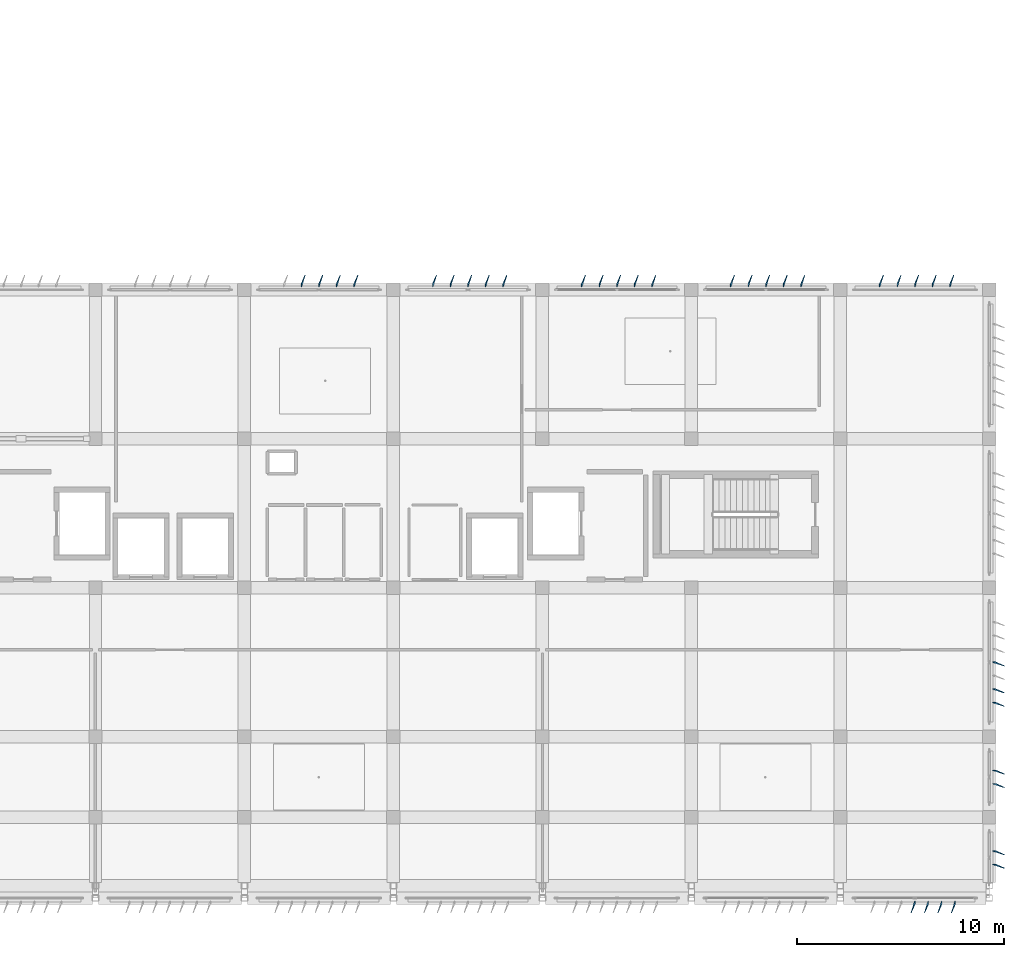
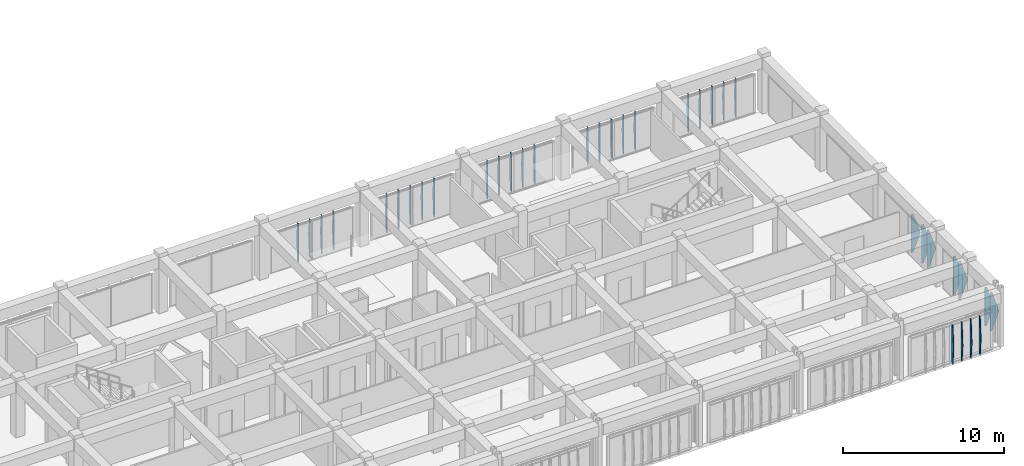
# One storey, part 53 of 56: 35 plates.
"""IFC4 building model written with IfcOpenShell, lengths in metres."""

import ifcopenshell
import ifcopenshell.guid

model = None  # the IFC model being written
_history = None  # IfcOwnerHistory: only IFC2X3 demands one
_inside = {}  # id of a spatial element -> (the spatial element, [elements in it])
_under = {}  # id of a project, library or spatial element -> (it, [spatial elements below it])
_declared = {}  # id of a project -> (the project, [libraries it declares])
_typed = {}  # id of a type object -> (the type object, [elements of that type])
_made_of = {}  # id of a material, layer set ... -> (it, [elements and type objects made of it])


def new_model(schema):
    """Start an empty IFC model of exactly this schema.

    Asked for "IFC4X3", IfcOpenShell would pick the latest addendum, in which some entities
    have other attributes; the version numbers below select the first issue.
    IFC2X3 requires an IfcOwnerHistory on every rooted entity: one is made here for all.
    """
    global model, _history
    if schema == "IFC4X3":
        model = ifcopenshell.file(schema_version=(4, 3, 0, 0))
    else:
        model = ifcopenshell.file(schema=schema)
    _inside.clear()
    _under.clear()
    _declared.clear()
    _typed.clear()
    _made_of.clear()
    _history = None
    if model.schema == "IFC2X3":
        org = make("IfcOrganization", Name="unknown")
        user = make(
            "IfcPersonAndOrganization",
            ThePerson=make("IfcPerson", FamilyName="unknown"),
            TheOrganization=org,
        )
        app = make(
            "IfcApplication",
            ApplicationDeveloper=org,
            Version="unknown",
            ApplicationFullName="unknown",
            ApplicationIdentifier="unknown",
        )
        _history = make(
            "IfcOwnerHistory",
            OwningUser=user,
            OwningApplication=app,
            ChangeAction="ADDED",
            CreationDate=0,
        )
    return model


def make(cls, **values):
    """One entity of the class cls with the attributes given. An attribute that is None is left unset."""
    return model.create_entity(
        cls, **{name: value for name, value in values.items() if value is not None}
    )


def rooted(cls, **values):
    """An entity with a GlobalId (a new one), such as an element, a storey or a relation."""
    return make(cls, GlobalId=ifcopenshell.guid.new(), OwnerHistory=_history, **values)


def si_unit(unit_type, name, prefix=None):
    """IfcSIUnit, for example si_unit("LENGTHUNIT", "METRE", prefix="MILLI")."""
    return make("IfcSIUnit", UnitType=unit_type, Prefix=prefix, Name=name)


def assignment(units):
    """IfcUnitAssignment: the units of a project."""
    return None if units is None else make("IfcUnitAssignment", Units=units)


def point(xyz):
    """IfcCartesianPoint."""
    return None if xyz is None else make("IfcCartesianPoint", Coordinates=xyz)


def direction(xyz):
    """IfcDirection."""
    return None if xyz is None else make("IfcDirection", DirectionRatios=xyz)


def frame(location, z_axis=None, x_axis=None):
    """IfcAxis2Placement3D, a coordinate frame: its origin and axes. An axis left out is left unset."""
    return make(
        "IfcAxis2Placement3D",
        Location=point(location),
        Axis=direction(z_axis),
        RefDirection=direction(x_axis),
    )


def origin():
    """The frame at (0, 0, 0) with its axes left unset."""
    return frame((0.0, 0.0, 0.0))


def place(relative_to, where):
    """IfcLocalPlacement: puts the frame where relative to a parent placement (None: the world)."""
    return make(
        "IfcLocalPlacement", PlacementRelTo=relative_to, RelativePlacement=where
    )


def context(
    kind, dimensions, precision=None, world=None, true_north=None, identifier=None
):
    """IfcGeometricRepresentationContext, for example the 3D "Model" context."""
    return make(
        "IfcGeometricRepresentationContext",
        ContextIdentifier=identifier,
        ContextType=kind,
        CoordinateSpaceDimension=dimensions,
        Precision=precision,
        WorldCoordinateSystem=world,
        TrueNorth=true_north,
    )


def subcontext(parent, identifier, kind, view, scale=None):
    """IfcGeometricRepresentationSubContext, for example "Body" below "Model"."""
    return make(
        "IfcGeometricRepresentationSubContext",
        ContextIdentifier=identifier,
        ContextType=kind,
        ParentContext=parent,
        TargetScale=scale,
        TargetView=view,
    )


def project(units=None, contexts=None):
    """IfcProject with its units and contexts."""
    return rooted(
        "IfcProject",
        Name="project",
        RepresentationContexts=contexts,
        UnitsInContext=assignment(units),
    )


def spatial(cls, under=None, at=None, **own):
    """A site, building, storey or space (cls), placed at a placement, below another one or the project."""
    s = rooted(cls, ObjectPlacement=at, **own)
    if under is not None:
        _under.setdefault(under.id(), (under, []))[1].append(s)
    return s


def point_list(points):
    """IfcCartesianPointList2D or 3D."""
    cls = (
        "IfcCartesianPointList2D" if len(points[0]) == 2 else "IfcCartesianPointList3D"
    )
    return make(cls, CoordList=points)


def polygons(points, faces, closed=None, point_numbers=None):
    """IfcPolygonalFaceSet: a face is its outer loop, then its inner loops; points numbered from 1."""
    made = []
    for loops in faces:
        if len(loops) == 1:
            made.append(make("IfcIndexedPolygonalFace", CoordIndex=loops[0]))
        else:
            made.append(
                make(
                    "IfcIndexedPolygonalFaceWithVoids",
                    CoordIndex=loops[0],
                    InnerCoordIndices=loops[1:],
                )
            )
    return make(
        "IfcPolygonalFaceSet",
        Coordinates=point_list(points),
        Closed=closed,
        Faces=made,
        PnIndex=point_numbers,
    )


def shape(context_of_items, identifier, shape_type, items):
    """IfcShapeRepresentation: the items that make up one representation, for example the "Body"."""
    return make(
        "IfcShapeRepresentation",
        ContextOfItems=context_of_items,
        RepresentationIdentifier=identifier,
        RepresentationType=shape_type,
        Items=items,
    )


def material(Name=None, Category=None):
    """IfcMaterial."""
    return make("IfcMaterial", Name=Name, Category=Category)


def layer(
    of_material, thickness, ventilated=None, Name=None, Category=None, Priority=None
):
    """IfcMaterialLayer: one layer of a wall or slab, of a material (None: an air gap)."""
    return make(
        "IfcMaterialLayer",
        Material=of_material,
        LayerThickness=thickness,
        IsVentilated=ventilated,
        Name=Name,
        Category=Category,
        Priority=Priority,
    )


def layer_set(layers, Name=None):
    """IfcMaterialLayerSet."""
    return make("IfcMaterialLayerSet", MaterialLayers=layers, LayerSetName=Name)


def made_of(thing, what):
    """Note that an element or type object is made of a material, layer set ...; save() writes the relation."""
    if what is not None:
        _made_of.setdefault(what.id(), (what, []))[1].append(thing)
    return thing


def type_object(cls, material=None, **own):
    """A type object (cls), such as IfcWallType, which elements share."""
    return made_of(rooted(cls, **own), material)


def element(
    cls,
    number,
    at=None,
    inside=None,
    cuts=None,
    type_object=None,
    material=None,
    context=None,
    identifier="Body",
    shape_type=None,
    held_by="IfcProductDefinitionShape",
    body=None,
    shapes=None,
    **own,
):
    """One element of the class cls, such as IfcWall. Its Tag is "e" and its number.

    at: its placement. inside: the storey or other place that contains it. cuts: it is an
    opening in that element (IfcRelVoidsElement). A single representation is given by context,
    identifier, shape_type and body (its items); several are given by shapes. held_by: the class
    of the entity that holds the representations. save() writes the other relations.
    """
    e = rooted(cls, Tag="e%d" % number, ObjectPlacement=at, **own)
    if body is not None:
        shapes = [shape(context, identifier, shape_type, body)]
    if shapes is not None:
        e.Representation = make(held_by, Representations=shapes)
    if inside is not None:
        _inside.setdefault(inside.id(), (inside, []))[1].append(e)
    if cuts is not None:
        rooted(
            "IfcRelVoidsElement", RelatingBuildingElement=cuts, RelatedOpeningElement=e
        )
    if type_object is not None:
        _typed.setdefault(type_object.id(), (type_object, []))[1].append(e)
    return made_of(e, material)


def aggregate(whole, parts):
    """IfcRelAggregates: a whole, such as a stair, and the parts it consists of."""
    return rooted("IfcRelAggregates", RelatingObject=whole, RelatedObjects=parts)


def save(model, path):
    """Write the relations noted so far, then the file.

    IfcRelAggregates (storeys below a building ...), IfcRelContainedInSpatialStructure (elements
    in a storey), IfcRelDefinesByType, IfcRelAssociatesMaterial and IfcRelDeclares: one each for
    every whole, place, type object, material and project.
    """
    for whole, parts in _under.values():
        aggregate(whole, parts)
    for where, things in _inside.values():
        rooted(
            "IfcRelContainedInSpatialStructure",
            RelatedElements=things,
            RelatingStructure=where,
        )
    for kind, things in _typed.values():
        rooted("IfcRelDefinesByType", RelatedObjects=things, RelatingType=kind)
    for what, things in _made_of.values():
        rooted("IfcRelAssociatesMaterial", RelatedObjects=things, RelatingMaterial=what)
    for by, libraries in _declared.values():
        rooted("IfcRelDeclares", RelatingContext=by, RelatedDefinitions=libraries)
    model.write(path)


model = new_model("IFC4")

# Units and contexts
model_context = context("Model", 3, precision=1e-05, world=origin(), true_north=direction((0.0, 1.0)))
body_context = subcontext(model_context, "Body", "Model", "MODEL_VIEW")
ifc_project = project(units=[si_unit("LENGTHUNIT", "METRE"), si_unit("AREAUNIT", "SQUARE_METRE"), si_unit("VOLUMEUNIT", "CUBIC_METRE"), si_unit("PLANEANGLEUNIT", "RADIAN"), si_unit("MASSUNIT", "GRAM", prefix="KILO")], contexts=[model_context])

# Site, building, storey
site_placement = place(None, origin())
site = spatial("IfcSite", under=ifc_project, at=site_placement, CompositionType="ELEMENT")
building_placement = place(site_placement, origin())
building = spatial("IfcBuilding", under=site, at=building_placement, Name="Kazehaya Institute of Natural Sciences", CompositionType="ELEMENT")
storey_placement = place(building_placement, frame((0.0, 0.0, 28.800048828125)))
storey = spatial("IfcBuildingStorey", under=building, at=storey_placement, Name="L06", CompositionType="ELEMENT", Elevation=28.800048828125)

# Plates
ifc_material = material(Name="Bronze-anodised aluminium alloy A6063S-T5", Category="aluminium")
ifc_layer_1 = layer(ifc_material, 0.02001953125, Name="Bronze-anodised aluminium alloy A6063S-T5", Category="aluminium")
ifc_layer_set_1 = layer_set([ifc_layer_1], Name="Bronze-anodised aluminium alloy A6063S-T5")
plate_type_1 = type_object("IfcPlateType", Name="FIN-DF-E1", PredefinedType="USERDEFINED", material=ifc_layer_set_1)
plate_1_placement = place(storey_placement, origin())
element("IfcPlate", 1, at=plate_1_placement, inside=storey, type_object=plate_type_1, Name="L06 folded diamond-pyramid shading fin FIN-L06-E-0496", ObjectType="SHADING_FIN", PredefinedType="USERDEFINED", context=body_context, shape_type="Tessellation", body=[
    polygons([(119.554931640625, 8.485107421875, 0.0400390625), (119.699951171875, 8.485107421875, 0.0400390625), (120.110107421875, 8.306396484375, 1.5), (119.699951171875, 8.485107421875, 2.9599609375), (119.554931640625, 8.485107421875, 2.9599609375), (119.554931640625, 8.465087890625, 0.0400390625), (119.699951171875, 8.465087890625, 0.0400390625), (120.110107421875, 8.286376953125, 1.5), (119.699951171875, 8.465087890625, 2.9599609375), (119.554931640625, 8.465087890625, 2.9599609375)], [[[1, 5, 4, 3, 2]], [[6, 7, 8, 9, 10]], [[1, 2, 7, 6]], [[2, 3, 8, 7]], [[3, 4, 9, 8]], [[4, 5, 10, 9]], [[5, 1, 6, 10]]], closed=True),
])
plate_2_placement = place(storey_placement, origin())
element("IfcPlate", 2, at=plate_2_placement, inside=storey, type_object=plate_type_1, Name="L06 folded diamond-pyramid shading fin FIN-L06-E-0497", ObjectType="SHADING_FIN", PredefinedType="USERDEFINED", context=body_context, shape_type="Tessellation", body=[
    polygons([(119.554931640625, 7.8349609375, 0.0400390625), (119.699951171875, 7.8349609375, 0.0400390625), (120.110107421875, 7.65625, 1.5), (119.699951171875, 7.8349609375, 2.9599609375), (119.554931640625, 7.8349609375, 2.9599609375), (119.554931640625, 7.81494140625, 0.0400390625), (119.699951171875, 7.81494140625, 0.0400390625), (120.110107421875, 7.63623046875, 1.5), (119.699951171875, 7.81494140625, 2.9599609375), (119.554931640625, 7.81494140625, 2.9599609375)], [[[1, 5, 4, 3, 2]], [[6, 7, 8, 9, 10]], [[1, 2, 7, 6]], [[2, 3, 8, 7]], [[3, 4, 9, 8]], [[4, 5, 10, 9]], [[5, 1, 6, 10]]], closed=True),
])
plate_3_placement = place(storey_placement, origin())
element("IfcPlate", 3, at=plate_3_placement, inside=storey, type_object=plate_type_1, Name="L06 folded diamond-pyramid shading fin FIN-L06-E-0500", ObjectType="SHADING_FIN", PredefinedType="USERDEFINED", context=body_context, shape_type="Tessellation", body=[
    polygons([(119.554931640625, 12.385009765625, 0.0400390625), (119.699951171875, 12.385009765625, 0.0400390625), (120.110107421875, 12.206298828125, 1.5), (119.699951171875, 12.385009765625, 2.9599609375), (119.554931640625, 12.385009765625, 2.9599609375), (119.554931640625, 12.364990234375, 0.0400390625), (119.699951171875, 12.364990234375, 0.0400390625), (120.110107421875, 12.186279296875, 1.5), (119.699951171875, 12.364990234375, 2.9599609375), (119.554931640625, 12.364990234375, 2.9599609375)], [[[1, 5, 4, 3, 2]], [[6, 7, 8, 9, 10]], [[1, 2, 7, 6]], [[2, 3, 8, 7]], [[3, 4, 9, 8]], [[4, 5, 10, 9]], [[5, 1, 6, 10]]], closed=True),
])
plate_4_placement = place(storey_placement, origin())
element("IfcPlate", 4, at=plate_4_placement, inside=storey, type_object=plate_type_1, Name="L06 folded diamond-pyramid shading fin FIN-L06-E-0501", ObjectType="SHADING_FIN", PredefinedType="USERDEFINED", context=body_context, shape_type="Tessellation", body=[
    polygons([(119.554931640625, 11.735107421875, 0.0400390625), (119.699951171875, 11.735107421875, 0.0400390625), (120.110107421875, 11.556396484375, 1.5), (119.699951171875, 11.735107421875, 2.9599609375), (119.554931640625, 11.735107421875, 2.9599609375), (119.554931640625, 11.715087890625, 0.0400390625), (119.699951171875, 11.715087890625, 0.0400390625), (120.110107421875, 11.536376953125, 1.5), (119.699951171875, 11.715087890625, 2.9599609375), (119.554931640625, 11.715087890625, 2.9599609375)], [[[1, 5, 4, 3, 2]], [[6, 7, 8, 9, 10]], [[1, 2, 7, 6]], [[2, 3, 8, 7]], [[3, 4, 9, 8]], [[4, 5, 10, 9]], [[5, 1, 6, 10]]], closed=True),
])
plate_5_placement = place(storey_placement, origin())
element("IfcPlate", 5, at=plate_5_placement, inside=storey, type_object=plate_type_1, Name="L06 folded diamond-pyramid shading fin FIN-L06-E-0512", ObjectType="SHADING_FIN", PredefinedType="USERDEFINED", context=body_context, shape_type="Tessellation", body=[
    polygons([(119.554931640625, 17.610107421875, 0.0400390625), (119.699951171875, 17.610107421875, 0.0400390625), (120.110107421875, 17.431396484375, 1.5), (119.699951171875, 17.610107421875, 2.9599609375), (119.554931640625, 17.610107421875, 2.9599609375), (119.554931640625, 17.590087890625, 0.0400390625), (119.699951171875, 17.590087890625, 0.0400390625), (120.110107421875, 17.411376953125, 1.5), (119.699951171875, 17.590087890625, 2.9599609375), (119.554931640625, 17.590087890625, 2.9599609375)], [[[1, 5, 4, 3, 2]], [[6, 7, 8, 9, 10]], [[1, 2, 7, 6]], [[2, 3, 8, 7]], [[3, 4, 9, 8]], [[4, 5, 10, 9]], [[5, 1, 6, 10]]], closed=True),
])
plate_6_placement = place(storey_placement, origin())
element("IfcPlate", 6, at=plate_6_placement, inside=storey, type_object=plate_type_1, Name="L06 folded diamond-pyramid shading fin FIN-L06-E-0514", ObjectType="SHADING_FIN", PredefinedType="USERDEFINED", context=body_context, shape_type="Tessellation", body=[
    polygons([(119.554931640625, 16.31005859375, 0.0400390625), (119.699951171875, 16.31005859375, 0.0400390625), (120.110107421875, 16.13134765625, 1.5), (119.699951171875, 16.31005859375, 2.9599609375), (119.554931640625, 16.31005859375, 2.9599609375), (119.554931640625, 16.2900390625, 0.0400390625), (119.699951171875, 16.2900390625, 0.0400390625), (120.110107421875, 16.111328125, 1.5), (119.699951171875, 16.2900390625, 2.9599609375), (119.554931640625, 16.2900390625, 2.9599609375)], [[[1, 5, 4, 3, 2]], [[6, 7, 8, 9, 10]], [[1, 2, 7, 6]], [[2, 3, 8, 7]], [[3, 4, 9, 8]], [[4, 5, 10, 9]], [[5, 1, 6, 10]]], closed=True),
])
plate_7_placement = place(storey_placement, origin())
element("IfcPlate", 7, at=plate_7_placement, inside=storey, type_object=plate_type_1, Name="L06 folded diamond-pyramid shading fin FIN-L06-E-0515", ObjectType="SHADING_FIN", PredefinedType="USERDEFINED", context=body_context, shape_type="Tessellation", body=[
    polygons([(119.554931640625, 15.659912109375, 0.0400390625), (119.699951171875, 15.659912109375, 0.0400390625), (120.110107421875, 15.481201171875, 1.5), (119.699951171875, 15.659912109375, 2.9599609375), (119.554931640625, 15.659912109375, 2.9599609375), (119.554931640625, 15.639892578125, 0.0400390625), (119.699951171875, 15.639892578125, 0.0400390625), (120.110107421875, 15.461181640625, 1.5), (119.699951171875, 15.639892578125, 2.9599609375), (119.554931640625, 15.639892578125, 2.9599609375)], [[[1, 5, 4, 3, 2]], [[6, 7, 8, 9, 10]], [[1, 2, 7, 6]], [[2, 3, 8, 7]], [[3, 4, 9, 8]], [[4, 5, 10, 9]], [[5, 1, 6, 10]]], closed=True),
])
ifc_layer_2 = layer(ifc_material, 0.02001953125, Name="Bronze-anodised aluminium alloy A6063S-T5", Category="aluminium")
ifc_layer_set_2 = layer_set([ifc_layer_2], Name="Bronze-anodised aluminium alloy A6063S-T5")
plate_type_2 = type_object("IfcPlateType", Name="FIN-DF-N1", PredefinedType="USERDEFINED", material=ifc_layer_set_2)
plate_8_placement = place(storey_placement, origin())
element("IfcPlate", 8, at=plate_8_placement, inside=storey, type_object=plate_type_2, Name="L06 folded diamond-pyramid shading fin FIN-L06-N-0470", ObjectType="SHADING_FIN", PredefinedType="USERDEFINED", context=body_context, shape_type="Tessellation", body=[
    polygons([(86.139892578125, 35.7548828125, 0.0400390625), (86.139892578125, 35.89990234375, 0.0400390625), (86.318603515625, 36.31005859375, 1.5), (86.139892578125, 35.89990234375, 2.9599609375), (86.139892578125, 35.7548828125, 2.9599609375), (86.159912109375, 35.7548828125, 0.0400390625), (86.159912109375, 35.89990234375, 0.0400390625), (86.338623046875, 36.31005859375, 1.5), (86.159912109375, 35.89990234375, 2.9599609375), (86.159912109375, 35.7548828125, 2.9599609375)], [[[1, 5, 4, 3, 2]], [[6, 7, 8, 9, 10]], [[1, 2, 7, 6]], [[2, 3, 8, 7]], [[3, 4, 9, 8]], [[4, 5, 10, 9]], [[5, 1, 6, 10]]], closed=True),
])
plate_9_placement = place(storey_placement, origin())
element("IfcPlate", 9, at=plate_9_placement, inside=storey, type_object=plate_type_2, Name="L06 folded diamond-pyramid shading fin FIN-L06-N-0471", ObjectType="SHADING_FIN", PredefinedType="USERDEFINED", context=body_context, shape_type="Tessellation", body=[
    polygons([(86.989990234375, 35.7548828125, 0.0400390625), (86.989990234375, 35.89990234375, 0.0400390625), (87.168701171875, 36.31005859375, 1.5), (86.989990234375, 35.89990234375, 2.9599609375), (86.989990234375, 35.7548828125, 2.9599609375), (87.010009765625, 35.7548828125, 0.0400390625), (87.010009765625, 35.89990234375, 0.0400390625), (87.188720703125, 36.31005859375, 1.5), (87.010009765625, 35.89990234375, 2.9599609375), (87.010009765625, 35.7548828125, 2.9599609375)], [[[1, 5, 4, 3, 2]], [[6, 7, 8, 9, 10]], [[1, 2, 7, 6]], [[2, 3, 8, 7]], [[3, 4, 9, 8]], [[4, 5, 10, 9]], [[5, 1, 6, 10]]], closed=True),
])
plate_10_placement = place(storey_placement, origin())
element("IfcPlate", 10, at=plate_10_placement, inside=storey, type_object=plate_type_2, Name="L06 folded diamond-pyramid shading fin FIN-L06-N-0472", ObjectType="SHADING_FIN", PredefinedType="USERDEFINED", context=body_context, shape_type="Tessellation", body=[
    polygons([(87.840087890625, 35.7548828125, 0.0400390625), (87.840087890625, 35.89990234375, 0.0400390625), (88.018798828125, 36.31005859375, 1.5), (87.840087890625, 35.89990234375, 2.9599609375), (87.840087890625, 35.7548828125, 2.9599609375), (87.860107421875, 35.7548828125, 0.0400390625), (87.860107421875, 35.89990234375, 0.0400390625), (88.038818359375, 36.31005859375, 1.5), (87.860107421875, 35.89990234375, 2.9599609375), (87.860107421875, 35.7548828125, 2.9599609375)], [[[1, 5, 4, 3, 2]], [[6, 7, 8, 9, 10]], [[1, 2, 7, 6]], [[2, 3, 8, 7]], [[3, 4, 9, 8]], [[4, 5, 10, 9]], [[5, 1, 6, 10]]], closed=True),
])
plate_11_placement = place(storey_placement, origin())
element("IfcPlate", 11, at=plate_11_placement, inside=storey, type_object=plate_type_2, Name="L06 folded diamond-pyramid shading fin FIN-L06-N-0473", ObjectType="SHADING_FIN", PredefinedType="USERDEFINED", context=body_context, shape_type="Tessellation", body=[
    polygons([(88.68994140625, 35.7548828125, 0.0400390625), (88.68994140625, 35.89990234375, 0.0400390625), (88.86865234375, 36.31005859375, 1.5), (88.68994140625, 35.89990234375, 2.9599609375), (88.68994140625, 35.7548828125, 2.9599609375), (88.7099609375, 35.7548828125, 0.0400390625), (88.7099609375, 35.89990234375, 0.0400390625), (88.888671875, 36.31005859375, 1.5), (88.7099609375, 35.89990234375, 2.9599609375), (88.7099609375, 35.7548828125, 2.9599609375)], [[[1, 5, 4, 3, 2]], [[6, 7, 8, 9, 10]], [[1, 2, 7, 6]], [[2, 3, 8, 7]], [[3, 4, 9, 8]], [[4, 5, 10, 9]], [[5, 1, 6, 10]]], closed=True),
])
plate_12_placement = place(storey_placement, origin())
element("IfcPlate", 12, at=plate_12_placement, inside=storey, type_object=plate_type_2, Name="L06 folded diamond-pyramid shading fin FIN-L06-N-0474", ObjectType="SHADING_FIN", PredefinedType="USERDEFINED", context=body_context, shape_type="Tessellation", body=[
    polygons([(92.489990234375, 35.7548828125, 0.0400390625), (92.489990234375, 35.89990234375, 0.0400390625), (92.668701171875, 36.31005859375, 1.5), (92.489990234375, 35.89990234375, 2.9599609375), (92.489990234375, 35.7548828125, 2.9599609375), (92.510009765625, 35.7548828125, 0.0400390625), (92.510009765625, 35.89990234375, 0.0400390625), (92.688720703125, 36.31005859375, 1.5), (92.510009765625, 35.89990234375, 2.9599609375), (92.510009765625, 35.7548828125, 2.9599609375)], [[[1, 5, 4, 3, 2]], [[6, 7, 8, 9, 10]], [[1, 2, 7, 6]], [[2, 3, 8, 7]], [[3, 4, 9, 8]], [[4, 5, 10, 9]], [[5, 1, 6, 10]]], closed=True),
])
plate_13_placement = place(storey_placement, origin())
element("IfcPlate", 13, at=plate_13_placement, inside=storey, type_object=plate_type_2, Name="L06 folded diamond-pyramid shading fin FIN-L06-N-0475", ObjectType="SHADING_FIN", PredefinedType="USERDEFINED", context=body_context, shape_type="Tessellation", body=[
    polygons([(93.340087890625, 35.7548828125, 0.0400390625), (93.340087890625, 35.89990234375, 0.0400390625), (93.518798828125, 36.31005859375, 1.5), (93.340087890625, 35.89990234375, 2.9599609375), (93.340087890625, 35.7548828125, 2.9599609375), (93.360107421875, 35.7548828125, 0.0400390625), (93.360107421875, 35.89990234375, 0.0400390625), (93.538818359375, 36.31005859375, 1.5), (93.360107421875, 35.89990234375, 2.9599609375), (93.360107421875, 35.7548828125, 2.9599609375)], [[[1, 5, 4, 3, 2]], [[6, 7, 8, 9, 10]], [[1, 2, 7, 6]], [[2, 3, 8, 7]], [[3, 4, 9, 8]], [[4, 5, 10, 9]], [[5, 1, 6, 10]]], closed=True),
])
plate_14_placement = place(storey_placement, origin())
element("IfcPlate", 14, at=plate_14_placement, inside=storey, type_object=plate_type_2, Name="L06 folded diamond-pyramid shading fin FIN-L06-N-0476", ObjectType="SHADING_FIN", PredefinedType="USERDEFINED", context=body_context, shape_type="Tessellation", body=[
    polygons([(94.18994140625, 35.7548828125, 0.0400390625), (94.18994140625, 35.89990234375, 0.0400390625), (94.36865234375, 36.31005859375, 1.5), (94.18994140625, 35.89990234375, 2.9599609375), (94.18994140625, 35.7548828125, 2.9599609375), (94.2099609375, 35.7548828125, 0.0400390625), (94.2099609375, 35.89990234375, 0.0400390625), (94.388671875, 36.31005859375, 1.5), (94.2099609375, 35.89990234375, 2.9599609375), (94.2099609375, 35.7548828125, 2.9599609375)], [[[1, 5, 4, 3, 2]], [[6, 7, 8, 9, 10]], [[1, 2, 7, 6]], [[2, 3, 8, 7]], [[3, 4, 9, 8]], [[4, 5, 10, 9]], [[5, 1, 6, 10]]], closed=True),
])
plate_15_placement = place(storey_placement, origin())
element("IfcPlate", 15, at=plate_15_placement, inside=storey, type_object=plate_type_2, Name="L06 folded diamond-pyramid shading fin FIN-L06-N-0477", ObjectType="SHADING_FIN", PredefinedType="USERDEFINED", context=body_context, shape_type="Tessellation", body=[
    polygons([(95.0400390625, 35.7548828125, 0.0400390625), (95.0400390625, 35.89990234375, 0.0400390625), (95.21875, 36.31005859375, 1.5), (95.0400390625, 35.89990234375, 2.9599609375), (95.0400390625, 35.7548828125, 2.9599609375), (95.06005859375, 35.7548828125, 0.0400390625), (95.06005859375, 35.89990234375, 0.0400390625), (95.23876953125, 36.31005859375, 1.5), (95.06005859375, 35.89990234375, 2.9599609375), (95.06005859375, 35.7548828125, 2.9599609375)], [[[1, 5, 4, 3, 2]], [[6, 7, 8, 9, 10]], [[1, 2, 7, 6]], [[2, 3, 8, 7]], [[3, 4, 9, 8]], [[4, 5, 10, 9]], [[5, 1, 6, 10]]], closed=True),
])
plate_16_placement = place(storey_placement, origin())
element("IfcPlate", 16, at=plate_16_placement, inside=storey, type_object=plate_type_2, Name="L06 folded diamond-pyramid shading fin FIN-L06-N-0478", ObjectType="SHADING_FIN", PredefinedType="USERDEFINED", context=body_context, shape_type="Tessellation", body=[
    polygons([(95.889892578125, 35.7548828125, 0.0400390625), (95.889892578125, 35.89990234375, 0.0400390625), (96.068603515625, 36.31005859375, 1.5), (95.889892578125, 35.89990234375, 2.9599609375), (95.889892578125, 35.7548828125, 2.9599609375), (95.909912109375, 35.7548828125, 0.0400390625), (95.909912109375, 35.89990234375, 0.0400390625), (96.088623046875, 36.31005859375, 1.5), (95.909912109375, 35.89990234375, 2.9599609375), (95.909912109375, 35.7548828125, 2.9599609375)], [[[1, 5, 4, 3, 2]], [[6, 7, 8, 9, 10]], [[1, 2, 7, 6]], [[2, 3, 8, 7]], [[3, 4, 9, 8]], [[4, 5, 10, 9]], [[5, 1, 6, 10]]], closed=True),
])
plate_17_placement = place(storey_placement, origin())
element("IfcPlate", 17, at=plate_17_placement, inside=storey, type_object=plate_type_2, Name="L06 folded diamond-pyramid shading fin FIN-L06-N-0479", ObjectType="SHADING_FIN", PredefinedType="USERDEFINED", context=body_context, shape_type="Tessellation", body=[
    polygons([(99.68994140625, 35.7548828125, 0.0400390625), (99.68994140625, 35.89990234375, 0.0400390625), (99.86865234375, 36.31005859375, 1.5), (99.68994140625, 35.89990234375, 2.9599609375), (99.68994140625, 35.7548828125, 2.9599609375), (99.7099609375, 35.7548828125, 0.0400390625), (99.7099609375, 35.89990234375, 0.0400390625), (99.888671875, 36.31005859375, 1.5), (99.7099609375, 35.89990234375, 2.9599609375), (99.7099609375, 35.7548828125, 2.9599609375)], [[[1, 5, 4, 3, 2]], [[6, 7, 8, 9, 10]], [[1, 2, 7, 6]], [[2, 3, 8, 7]], [[3, 4, 9, 8]], [[4, 5, 10, 9]], [[5, 1, 6, 10]]], closed=True),
])
plate_18_placement = place(storey_placement, origin())
element("IfcPlate", 18, at=plate_18_placement, inside=storey, type_object=plate_type_2, Name="L06 folded diamond-pyramid shading fin FIN-L06-N-0480", ObjectType="SHADING_FIN", PredefinedType="USERDEFINED", context=body_context, shape_type="Tessellation", body=[
    polygons([(100.5400390625, 35.7548828125, 0.0400390625), (100.5400390625, 35.89990234375, 0.0400390625), (100.71875, 36.31005859375, 1.5), (100.5400390625, 35.89990234375, 2.9599609375), (100.5400390625, 35.7548828125, 2.9599609375), (100.56005859375, 35.7548828125, 0.0400390625), (100.56005859375, 35.89990234375, 0.0400390625), (100.73876953125, 36.31005859375, 1.5), (100.56005859375, 35.89990234375, 2.9599609375), (100.56005859375, 35.7548828125, 2.9599609375)], [[[1, 5, 4, 3, 2]], [[6, 7, 8, 9, 10]], [[1, 2, 7, 6]], [[2, 3, 8, 7]], [[3, 4, 9, 8]], [[4, 5, 10, 9]], [[5, 1, 6, 10]]], closed=True),
])
plate_19_placement = place(storey_placement, origin())
element("IfcPlate", 19, at=plate_19_placement, inside=storey, type_object=plate_type_2, Name="L06 folded diamond-pyramid shading fin FIN-L06-N-0481", ObjectType="SHADING_FIN", PredefinedType="USERDEFINED", context=body_context, shape_type="Tessellation", body=[
    polygons([(101.389892578125, 35.7548828125, 0.0400390625), (101.389892578125, 35.89990234375, 0.0400390625), (101.568603515625, 36.31005859375, 1.5), (101.389892578125, 35.89990234375, 2.9599609375), (101.389892578125, 35.7548828125, 2.9599609375), (101.409912109375, 35.7548828125, 0.0400390625), (101.409912109375, 35.89990234375, 0.0400390625), (101.588623046875, 36.31005859375, 1.5), (101.409912109375, 35.89990234375, 2.9599609375), (101.409912109375, 35.7548828125, 2.9599609375)], [[[1, 5, 4, 3, 2]], [[6, 7, 8, 9, 10]], [[1, 2, 7, 6]], [[2, 3, 8, 7]], [[3, 4, 9, 8]], [[4, 5, 10, 9]], [[5, 1, 6, 10]]], closed=True),
])
plate_20_placement = place(storey_placement, origin())
element("IfcPlate", 20, at=plate_20_placement, inside=storey, type_object=plate_type_2, Name="L06 folded diamond-pyramid shading fin FIN-L06-N-0482", ObjectType="SHADING_FIN", PredefinedType="USERDEFINED", context=body_context, shape_type="Tessellation", body=[
    polygons([(102.239990234375, 35.7548828125, 0.0400390625), (102.239990234375, 35.89990234375, 0.0400390625), (102.418701171875, 36.31005859375, 1.5), (102.239990234375, 35.89990234375, 2.9599609375), (102.239990234375, 35.7548828125, 2.9599609375), (102.260009765625, 35.7548828125, 0.0400390625), (102.260009765625, 35.89990234375, 0.0400390625), (102.438720703125, 36.31005859375, 1.5), (102.260009765625, 35.89990234375, 2.9599609375), (102.260009765625, 35.7548828125, 2.9599609375)], [[[1, 5, 4, 3, 2]], [[6, 7, 8, 9, 10]], [[1, 2, 7, 6]], [[2, 3, 8, 7]], [[3, 4, 9, 8]], [[4, 5, 10, 9]], [[5, 1, 6, 10]]], closed=True),
])
plate_21_placement = place(storey_placement, origin())
element("IfcPlate", 21, at=plate_21_placement, inside=storey, type_object=plate_type_2, Name="L06 folded diamond-pyramid shading fin FIN-L06-N-0483", ObjectType="SHADING_FIN", PredefinedType="USERDEFINED", context=body_context, shape_type="Tessellation", body=[
    polygons([(103.090087890625, 35.7548828125, 0.0400390625), (103.090087890625, 35.89990234375, 0.0400390625), (103.268798828125, 36.31005859375, 1.5), (103.090087890625, 35.89990234375, 2.9599609375), (103.090087890625, 35.7548828125, 2.9599609375), (103.110107421875, 35.7548828125, 0.0400390625), (103.110107421875, 35.89990234375, 0.0400390625), (103.288818359375, 36.31005859375, 1.5), (103.110107421875, 35.89990234375, 2.9599609375), (103.110107421875, 35.7548828125, 2.9599609375)], [[[1, 5, 4, 3, 2]], [[6, 7, 8, 9, 10]], [[1, 2, 7, 6]], [[2, 3, 8, 7]], [[3, 4, 9, 8]], [[4, 5, 10, 9]], [[5, 1, 6, 10]]], closed=True),
])
plate_22_placement = place(storey_placement, origin())
element("IfcPlate", 22, at=plate_22_placement, inside=storey, type_object=plate_type_2, Name="L06 folded diamond-pyramid shading fin FIN-L06-N-0484", ObjectType="SHADING_FIN", PredefinedType="USERDEFINED", context=body_context, shape_type="Tessellation", body=[
    polygons([(106.889892578125, 35.7548828125, 0.0400390625), (106.889892578125, 35.89990234375, 0.0400390625), (107.068603515625, 36.31005859375, 1.5), (106.889892578125, 35.89990234375, 2.9599609375), (106.889892578125, 35.7548828125, 2.9599609375), (106.909912109375, 35.7548828125, 0.0400390625), (106.909912109375, 35.89990234375, 0.0400390625), (107.088623046875, 36.31005859375, 1.5), (106.909912109375, 35.89990234375, 2.9599609375), (106.909912109375, 35.7548828125, 2.9599609375)], [[[1, 5, 4, 3, 2]], [[6, 7, 8, 9, 10]], [[1, 2, 7, 6]], [[2, 3, 8, 7]], [[3, 4, 9, 8]], [[4, 5, 10, 9]], [[5, 1, 6, 10]]], closed=True),
])
plate_23_placement = place(storey_placement, origin())
element("IfcPlate", 23, at=plate_23_placement, inside=storey, type_object=plate_type_2, Name="L06 folded diamond-pyramid shading fin FIN-L06-N-0485", ObjectType="SHADING_FIN", PredefinedType="USERDEFINED", context=body_context, shape_type="Tessellation", body=[
    polygons([(107.739990234375, 35.7548828125, 0.0400390625), (107.739990234375, 35.89990234375, 0.0400390625), (107.918701171875, 36.31005859375, 1.5), (107.739990234375, 35.89990234375, 2.9599609375), (107.739990234375, 35.7548828125, 2.9599609375), (107.760009765625, 35.7548828125, 0.0400390625), (107.760009765625, 35.89990234375, 0.0400390625), (107.938720703125, 36.31005859375, 1.5), (107.760009765625, 35.89990234375, 2.9599609375), (107.760009765625, 35.7548828125, 2.9599609375)], [[[1, 5, 4, 3, 2]], [[6, 7, 8, 9, 10]], [[1, 2, 7, 6]], [[2, 3, 8, 7]], [[3, 4, 9, 8]], [[4, 5, 10, 9]], [[5, 1, 6, 10]]], closed=True),
])
plate_24_placement = place(storey_placement, origin())
element("IfcPlate", 24, at=plate_24_placement, inside=storey, type_object=plate_type_2, Name="L06 folded diamond-pyramid shading fin FIN-L06-N-0486", ObjectType="SHADING_FIN", PredefinedType="USERDEFINED", context=body_context, shape_type="Tessellation", body=[
    polygons([(108.590087890625, 35.7548828125, 0.0400390625), (108.590087890625, 35.89990234375, 0.0400390625), (108.768798828125, 36.31005859375, 1.5), (108.590087890625, 35.89990234375, 2.9599609375), (108.590087890625, 35.7548828125, 2.9599609375), (108.610107421875, 35.7548828125, 0.0400390625), (108.610107421875, 35.89990234375, 0.0400390625), (108.788818359375, 36.31005859375, 1.5), (108.610107421875, 35.89990234375, 2.9599609375), (108.610107421875, 35.7548828125, 2.9599609375)], [[[1, 5, 4, 3, 2]], [[6, 7, 8, 9, 10]], [[1, 2, 7, 6]], [[2, 3, 8, 7]], [[3, 4, 9, 8]], [[4, 5, 10, 9]], [[5, 1, 6, 10]]], closed=True),
])
plate_25_placement = place(storey_placement, origin())
element("IfcPlate", 25, at=plate_25_placement, inside=storey, type_object=plate_type_2, Name="L06 folded diamond-pyramid shading fin FIN-L06-N-0487", ObjectType="SHADING_FIN", PredefinedType="USERDEFINED", context=body_context, shape_type="Tessellation", body=[
    polygons([(109.43994140625, 35.7548828125, 0.0400390625), (109.43994140625, 35.89990234375, 0.0400390625), (109.61865234375, 36.31005859375, 1.5), (109.43994140625, 35.89990234375, 2.9599609375), (109.43994140625, 35.7548828125, 2.9599609375), (109.4599609375, 35.7548828125, 0.0400390625), (109.4599609375, 35.89990234375, 0.0400390625), (109.638671875, 36.31005859375, 1.5), (109.4599609375, 35.89990234375, 2.9599609375), (109.4599609375, 35.7548828125, 2.9599609375)], [[[1, 5, 4, 3, 2]], [[6, 7, 8, 9, 10]], [[1, 2, 7, 6]], [[2, 3, 8, 7]], [[3, 4, 9, 8]], [[4, 5, 10, 9]], [[5, 1, 6, 10]]], closed=True),
])
plate_26_placement = place(storey_placement, origin())
element("IfcPlate", 26, at=plate_26_placement, inside=storey, type_object=plate_type_2, Name="L06 folded diamond-pyramid shading fin FIN-L06-N-0488", ObjectType="SHADING_FIN", PredefinedType="USERDEFINED", context=body_context, shape_type="Tessellation", body=[
    polygons([(110.2900390625, 35.7548828125, 0.0400390625), (110.2900390625, 35.89990234375, 0.0400390625), (110.46875, 36.31005859375, 1.5), (110.2900390625, 35.89990234375, 2.9599609375), (110.2900390625, 35.7548828125, 2.9599609375), (110.31005859375, 35.7548828125, 0.0400390625), (110.31005859375, 35.89990234375, 0.0400390625), (110.48876953125, 36.31005859375, 1.5), (110.31005859375, 35.89990234375, 2.9599609375), (110.31005859375, 35.7548828125, 2.9599609375)], [[[1, 5, 4, 3, 2]], [[6, 7, 8, 9, 10]], [[1, 2, 7, 6]], [[2, 3, 8, 7]], [[3, 4, 9, 8]], [[4, 5, 10, 9]], [[5, 1, 6, 10]]], closed=True),
])
plate_27_placement = place(storey_placement, origin())
element("IfcPlate", 27, at=plate_27_placement, inside=storey, type_object=plate_type_2, Name="L06 folded diamond-pyramid shading fin FIN-L06-N-0489", ObjectType="SHADING_FIN", PredefinedType="USERDEFINED", context=body_context, shape_type="Tessellation", body=[
    polygons([(114.090087890625, 35.7548828125, 0.0400390625), (114.090087890625, 35.89990234375, 0.0400390625), (114.268798828125, 36.31005859375, 1.5), (114.090087890625, 35.89990234375, 2.9599609375), (114.090087890625, 35.7548828125, 2.9599609375), (114.110107421875, 35.7548828125, 0.0400390625), (114.110107421875, 35.89990234375, 0.0400390625), (114.288818359375, 36.31005859375, 1.5), (114.110107421875, 35.89990234375, 2.9599609375), (114.110107421875, 35.7548828125, 2.9599609375)], [[[1, 5, 4, 3, 2]], [[6, 7, 8, 9, 10]], [[1, 2, 7, 6]], [[2, 3, 8, 7]], [[3, 4, 9, 8]], [[4, 5, 10, 9]], [[5, 1, 6, 10]]], closed=True),
])
plate_28_placement = place(storey_placement, origin())
element("IfcPlate", 28, at=plate_28_placement, inside=storey, type_object=plate_type_2, Name="L06 folded diamond-pyramid shading fin FIN-L06-N-0490", ObjectType="SHADING_FIN", PredefinedType="USERDEFINED", context=body_context, shape_type="Tessellation", body=[
    polygons([(114.93994140625, 35.7548828125, 0.0400390625), (114.93994140625, 35.89990234375, 0.0400390625), (115.11865234375, 36.31005859375, 1.5), (114.93994140625, 35.89990234375, 2.9599609375), (114.93994140625, 35.7548828125, 2.9599609375), (114.9599609375, 35.7548828125, 0.0400390625), (114.9599609375, 35.89990234375, 0.0400390625), (115.138671875, 36.31005859375, 1.5), (114.9599609375, 35.89990234375, 2.9599609375), (114.9599609375, 35.7548828125, 2.9599609375)], [[[1, 5, 4, 3, 2]], [[6, 7, 8, 9, 10]], [[1, 2, 7, 6]], [[2, 3, 8, 7]], [[3, 4, 9, 8]], [[4, 5, 10, 9]], [[5, 1, 6, 10]]], closed=True),
])
plate_29_placement = place(storey_placement, origin())
element("IfcPlate", 29, at=plate_29_placement, inside=storey, type_object=plate_type_2, Name="L06 folded diamond-pyramid shading fin FIN-L06-N-0491", ObjectType="SHADING_FIN", PredefinedType="USERDEFINED", context=body_context, shape_type="Tessellation", body=[
    polygons([(115.7900390625, 35.7548828125, 0.0400390625), (115.7900390625, 35.89990234375, 0.0400390625), (115.96875, 36.31005859375, 1.5), (115.7900390625, 35.89990234375, 2.9599609375), (115.7900390625, 35.7548828125, 2.9599609375), (115.81005859375, 35.7548828125, 0.0400390625), (115.81005859375, 35.89990234375, 0.0400390625), (115.98876953125, 36.31005859375, 1.5), (115.81005859375, 35.89990234375, 2.9599609375), (115.81005859375, 35.7548828125, 2.9599609375)], [[[1, 5, 4, 3, 2]], [[6, 7, 8, 9, 10]], [[1, 2, 7, 6]], [[2, 3, 8, 7]], [[3, 4, 9, 8]], [[4, 5, 10, 9]], [[5, 1, 6, 10]]], closed=True),
])
plate_30_placement = place(storey_placement, origin())
element("IfcPlate", 30, at=plate_30_placement, inside=storey, type_object=plate_type_2, Name="L06 folded diamond-pyramid shading fin FIN-L06-N-0492", ObjectType="SHADING_FIN", PredefinedType="USERDEFINED", context=body_context, shape_type="Tessellation", body=[
    polygons([(116.639892578125, 35.7548828125, 0.0400390625), (116.639892578125, 35.89990234375, 0.0400390625), (116.818603515625, 36.31005859375, 1.5), (116.639892578125, 35.89990234375, 2.9599609375), (116.639892578125, 35.7548828125, 2.9599609375), (116.659912109375, 35.7548828125, 0.0400390625), (116.659912109375, 35.89990234375, 0.0400390625), (116.838623046875, 36.31005859375, 1.5), (116.659912109375, 35.89990234375, 2.9599609375), (116.659912109375, 35.7548828125, 2.9599609375)], [[[1, 5, 4, 3, 2]], [[6, 7, 8, 9, 10]], [[1, 2, 7, 6]], [[2, 3, 8, 7]], [[3, 4, 9, 8]], [[4, 5, 10, 9]], [[5, 1, 6, 10]]], closed=True),
])
plate_31_placement = place(storey_placement, origin())
element("IfcPlate", 31, at=plate_31_placement, inside=storey, type_object=plate_type_2, Name="L06 folded diamond-pyramid shading fin FIN-L06-N-0493", ObjectType="SHADING_FIN", PredefinedType="USERDEFINED", context=body_context, shape_type="Tessellation", body=[
    polygons([(117.489990234375, 35.7548828125, 0.0400390625), (117.489990234375, 35.89990234375, 0.0400390625), (117.668701171875, 36.31005859375, 1.5), (117.489990234375, 35.89990234375, 2.9599609375), (117.489990234375, 35.7548828125, 2.9599609375), (117.510009765625, 35.7548828125, 0.0400390625), (117.510009765625, 35.89990234375, 0.0400390625), (117.688720703125, 36.31005859375, 1.5), (117.510009765625, 35.89990234375, 2.9599609375), (117.510009765625, 35.7548828125, 2.9599609375)], [[[1, 5, 4, 3, 2]], [[6, 7, 8, 9, 10]], [[1, 2, 7, 6]], [[2, 3, 8, 7]], [[3, 4, 9, 8]], [[4, 5, 10, 9]], [[5, 1, 6, 10]]], closed=True),
])
ifc_layer_3 = layer(ifc_material, 0.02001953125, Name="Bronze-anodised aluminium alloy A6063S-T5", Category="aluminium")
ifc_layer_set_3 = layer_set([ifc_layer_3], Name="Bronze-anodised aluminium alloy A6063S-T5")
plate_type_3 = type_object("IfcPlateType", Name="FIN-DF-S1", PredefinedType="USERDEFINED", material=ifc_layer_set_3)
plate_32_placement = place(storey_placement, origin())
element("IfcPlate", 32, at=plate_32_placement, inside=storey, type_object=plate_type_3, Name="L06 folded diamond-pyramid shading fin FIN-L06-S-0386", ObjectType="SHADING_FIN", PredefinedType="USERDEFINED", context=body_context, shape_type="Tessellation", body=[
    polygons([(117.760009765625, 6.044921875, 0.0400390625), (117.760009765625, 5.89990234375, 0.0400390625), (117.581298828125, 5.489990234375, 1.5), (117.760009765625, 5.89990234375, 2.9599609375), (117.760009765625, 6.044921875, 2.9599609375), (117.739990234375, 6.044921875, 0.0400390625), (117.739990234375, 5.89990234375, 0.0400390625), (117.561279296875, 5.489990234375, 1.5), (117.739990234375, 5.89990234375, 2.9599609375), (117.739990234375, 6.044921875, 2.9599609375)], [[[1, 5, 4, 3, 2]], [[6, 7, 8, 9, 10]], [[1, 2, 7, 6]], [[2, 3, 8, 7]], [[3, 4, 9, 8]], [[4, 5, 10, 9]], [[5, 1, 6, 10]]], closed=True),
])
plate_33_placement = place(storey_placement, origin())
element("IfcPlate", 33, at=plate_33_placement, inside=storey, type_object=plate_type_3, Name="L06 folded diamond-pyramid shading fin FIN-L06-S-0387", ObjectType="SHADING_FIN", PredefinedType="USERDEFINED", context=body_context, shape_type="Tessellation", body=[
    polygons([(117.110107421875, 6.044921875, 0.0400390625), (117.110107421875, 5.89990234375, 0.0400390625), (116.931396484375, 5.489990234375, 1.5), (117.110107421875, 5.89990234375, 2.9599609375), (117.110107421875, 6.044921875, 2.9599609375), (117.090087890625, 6.044921875, 0.0400390625), (117.090087890625, 5.89990234375, 0.0400390625), (116.911376953125, 5.489990234375, 1.5), (117.090087890625, 5.89990234375, 2.9599609375), (117.090087890625, 6.044921875, 2.9599609375)], [[[1, 5, 4, 3, 2]], [[6, 7, 8, 9, 10]], [[1, 2, 7, 6]], [[2, 3, 8, 7]], [[3, 4, 9, 8]], [[4, 5, 10, 9]], [[5, 1, 6, 10]]], closed=True),
])
plate_34_placement = place(storey_placement, origin())
element("IfcPlate", 34, at=plate_34_placement, inside=storey, type_object=plate_type_3, Name="L06 folded diamond-pyramid shading fin FIN-L06-S-0388", ObjectType="SHADING_FIN", PredefinedType="USERDEFINED", context=body_context, shape_type="Tessellation", body=[
    polygons([(116.4599609375, 6.044921875, 0.0400390625), (116.4599609375, 5.89990234375, 0.0400390625), (116.28125, 5.489990234375, 1.5), (116.4599609375, 5.89990234375, 2.9599609375), (116.4599609375, 6.044921875, 2.9599609375), (116.43994140625, 6.044921875, 0.0400390625), (116.43994140625, 5.89990234375, 0.0400390625), (116.26123046875, 5.489990234375, 1.5), (116.43994140625, 5.89990234375, 2.9599609375), (116.43994140625, 6.044921875, 2.9599609375)], [[[1, 5, 4, 3, 2]], [[6, 7, 8, 9, 10]], [[1, 2, 7, 6]], [[2, 3, 8, 7]], [[3, 4, 9, 8]], [[4, 5, 10, 9]], [[5, 1, 6, 10]]], closed=True),
])
plate_35_placement = place(storey_placement, origin())
element("IfcPlate", 35, at=plate_35_placement, inside=storey, type_object=plate_type_3, Name="L06 folded diamond-pyramid shading fin FIN-L06-S-0389", ObjectType="SHADING_FIN", PredefinedType="USERDEFINED", context=body_context, shape_type="Tessellation", body=[
    polygons([(115.81005859375, 6.044921875, 0.0400390625), (115.81005859375, 5.89990234375, 0.0400390625), (115.63134765625, 5.489990234375, 1.5), (115.81005859375, 5.89990234375, 2.9599609375), (115.81005859375, 6.044921875, 2.9599609375), (115.7900390625, 6.044921875, 0.0400390625), (115.7900390625, 5.89990234375, 0.0400390625), (115.611328125, 5.489990234375, 1.5), (115.7900390625, 5.89990234375, 2.9599609375), (115.7900390625, 6.044921875, 2.9599609375)], [[[1, 5, 4, 3, 2]], [[6, 7, 8, 9, 10]], [[1, 2, 7, 6]], [[2, 3, 8, 7]], [[3, 4, 9, 8]], [[4, 5, 10, 9]], [[5, 1, 6, 10]]], closed=True),
])

save(model, "model.ifc")
